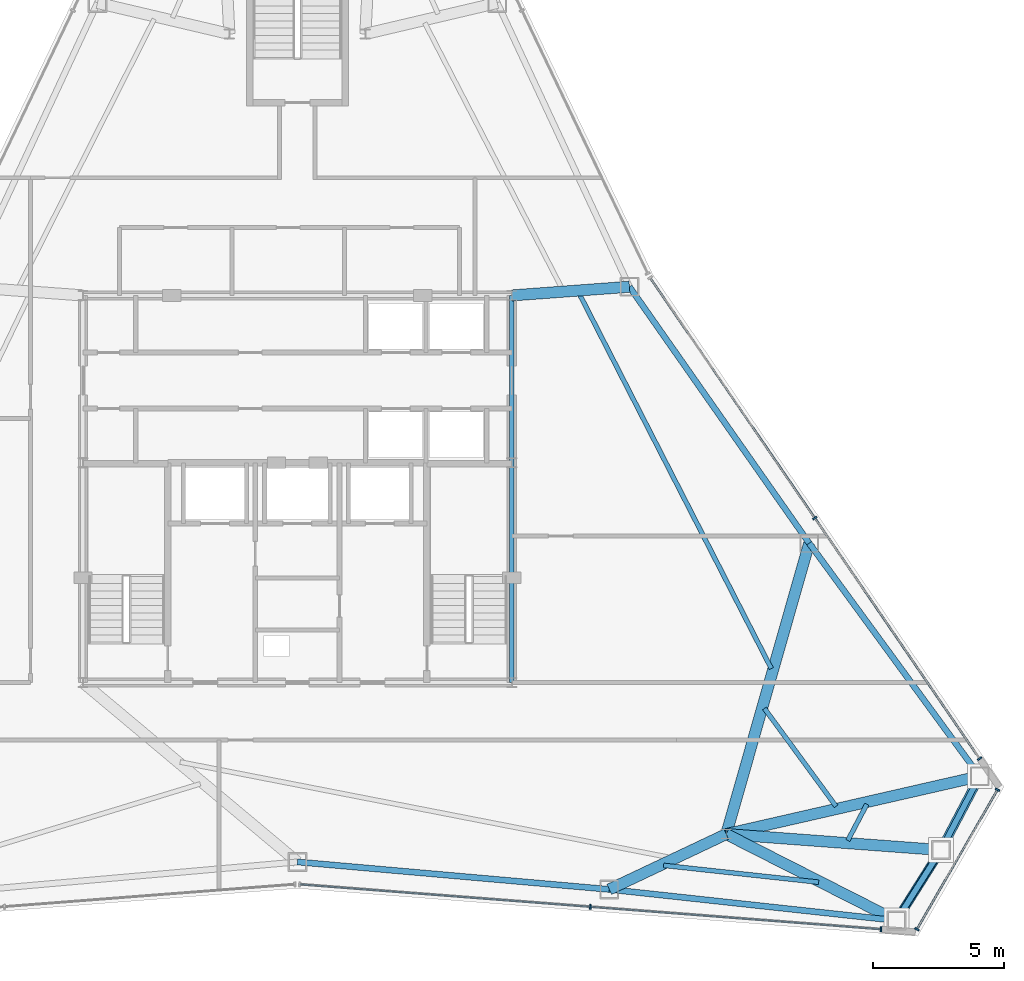
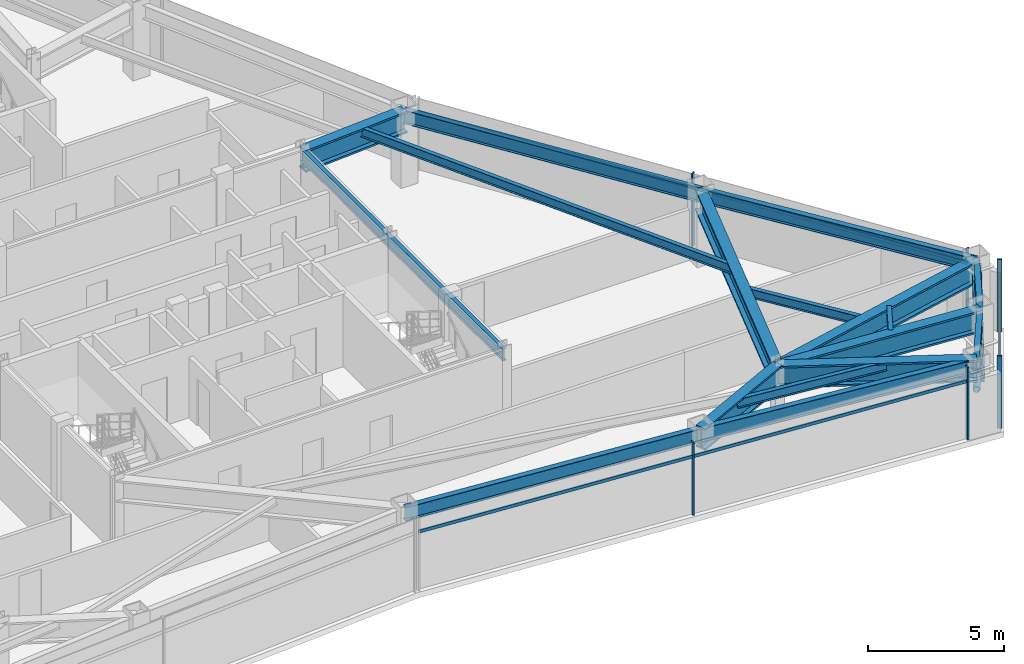
# One storey, part 6 of 12: 17 beams, 12 members, 3 elements without a shape of their own.
"""IFC4 building model written with IfcOpenShell, lengths in metres."""

from ifc_helpers import new_model, si_unit, direction, frame, origin, origin_2d, place, context, subcontext, project, spatial, rectangle, hollow_rectangle, hollow_circle, i_section, extrude, source, transform, mapped, material, layer, layer_set, material_profile, profile_set, type_object, type_shapes, element, aggregate, save


model = new_model("IFC4")

# Units and contexts
model_context = context("Model", 3, precision=1e-05, world=origin(), true_north=direction((0.0, 1.0)))
body_context = subcontext(model_context, "Body", "Model", "MODEL_VIEW")
ifc_project = project(units=[si_unit("LENGTHUNIT", "METRE"), si_unit("AREAUNIT", "SQUARE_METRE"), si_unit("VOLUMEUNIT", "CUBIC_METRE"), si_unit("PLANEANGLEUNIT", "RADIAN"), si_unit("MASSUNIT", "GRAM", prefix="KILO")], contexts=[model_context])

# Site, building, storey
site_placement = place(None, origin())
site = spatial("IfcSite", under=ifc_project, at=site_placement, CompositionType="ELEMENT")
building_placement = place(site_placement, origin())
building = spatial("IfcBuilding", under=site, at=building_placement, Name="Varakhsha Concourse Tower", CompositionType="ELEMENT")
storey_placement = place(building_placement, frame((0.0, 0.0, 222.39990234375)))
storey = spatial("IfcBuildingStorey", under=building, at=storey_placement, Name="L63", CompositionType="ELEMENT", Elevation=222.39990234375)

# Beams
ifc_material_1 = material(Name="Structural Steel ASTM A992 Grade 50", Category="steel")
ifc_material_profile_1 = material_profile(ifc_material_1, i_section(OverallWidth=0.177978515625, OverallDepth=0.406982421875, WebThickness=0.008056640625, FlangeThickness=0.012939453125, at=origin_2d()), Name="W16X40")
ifc_profile_set_1 = profile_set([ifc_material_profile_1], Name="Structural Steel ASTM A992 Grade 50")
beam_type_1 = type_object("IfcBeamType", Name="BM-JST-W16X40", PredefinedType="JOIST", material=ifc_profile_set_1)
beam_1_placement = place(storey_placement, frame((54.005615234375, 9.404541015625, 3.046630859375), z_axis=(0.994153254107, -0.107978272576, 0.0), x_axis=(0.107978272576, 0.994153254107, 0.0)))
element("IfcBeam", 1, at=beam_1_placement, inside=storey, type_object=beam_type_1, Name="BM-TJST-L63-12", PredefinedType="JOIST", context=body_context, shape_type="SweptSolid", body=[
    extrude(i_section(OverallWidth=0.177978515625, OverallDepth=0.406982421875, WebThickness=0.008056640625, FlangeThickness=0.012939453125, at=origin_2d()), origin(), (0.0, 0.0, 1.0), 5.964599609375),
])
beam_2_placement = place(storey_placement, frame((61.049072265625, 10.3564453125, 3.046630859375), z_axis=(0.465392975907, 0.885104162219, 0.0), x_axis=(-0.885104162219, 0.465392975907, 0.0)))
element("IfcBeam", 2, at=beam_2_placement, inside=storey, type_object=beam_type_1, Name="BM-TJST-L63-14", PredefinedType="JOIST", context=body_context, shape_type="SweptSolid", body=[
    extrude(i_section(OverallWidth=0.177978515625, OverallDepth=0.406982421875, WebThickness=0.008056640625, FlangeThickness=0.012939453125, at=origin_2d()), origin(), (0.0, 0.0, 1.0), 1.56591796875),
])
beam_3_placement = place(storey_placement, frame((60.600830078125, 11.662841796875, 3.046630859375), z_axis=(-0.590553463379, 0.80699851728, 0.0), x_axis=(-0.80699851728, -0.590553463379, 0.0)))
element("IfcBeam", 3, at=beam_3_placement, inside=storey, type_object=beam_type_1, Name="BM-TJST-L63-15", PredefinedType="JOIST", context=body_context, shape_type="SweptSolid", body=[
    extrude(i_section(OverallWidth=0.177978515625, OverallDepth=0.406982421875, WebThickness=0.008056640625, FlangeThickness=0.012939453125, at=origin_2d()), origin(), (0.0, 0.0, 1.0), 4.639404296875),
])
beam_4_placement = place(storey_placement, frame((58.126708984375, 16.928466796875, 3.046630859375), z_axis=(-0.455992519423, 0.889983607844, 0.0), x_axis=(-0.889983607844, -0.455992519423, 0.0)))
element("IfcBeam", 4, at=beam_4_placement, inside=storey, type_object=beam_type_1, Name="BM-TJST-L63-16", PredefinedType="JOIST", context=body_context, shape_type="SweptSolid", body=[
    extrude(i_section(OverallWidth=0.177978515625, OverallDepth=0.406982421875, WebThickness=0.008056640625, FlangeThickness=0.012939453125, at=origin_2d()), origin(), (0.0, 0.0, 1.0), 16.134521484375),
])
ifc_material_profile_2 = material_profile(ifc_material_1, i_section(OverallWidth=0.1669921875, OverallDepth=0.534912109375, WebThickness=0.010009765625, FlangeThickness=0.01708984375, at=origin_2d()), Name="W21X57")
ifc_profile_set_2 = profile_set([ifc_material_profile_2], Name="Structural Steel ASTM A992 Grade 50")
beam_type_2 = type_object("IfcBeamType", Name="BM-RAD-W21X57", PredefinedType="BEAM", material=ifc_profile_set_2)
beam_5_placement = place(storey_placement, frame((48.199951171875, 16.39990234375, 2.982666015625), z_axis=(0.0, 1.0, 0.0), x_axis=(-1.0, 0.0, 0.0)))
element("IfcBeam", 5, at=beam_5_placement, inside=storey, type_object=beam_type_2, Name="BM-TCORE-L63-CE", PredefinedType="BEAM", context=body_context, shape_type="SweptSolid", body=[
    extrude(i_section(OverallWidth=0.1669921875, OverallDepth=0.534912109375, WebThickness=0.010009765625, FlangeThickness=0.01708984375, at=origin_2d()), origin(), (0.0, 0.0, 1.0), 14.800048828125),
])
ifc_material_profile_3 = material_profile(ifc_material_1, i_section(OverallWidth=0.22900390625, OverallDepth=0.612060546875, WebThickness=0.011962890625, FlangeThickness=0.02001953125, at=origin_2d()), Name="W24X84")
ifc_profile_set_3 = profile_set([ifc_material_profile_3], Name="Structural Steel ASTM A992 Grade 50")
beam_type_3 = type_object("IfcBeamType", Name="BM-SPAN-W24X84", PredefinedType="SPANDREL", material=ifc_profile_set_3)
beam_6_placement = place(storey_placement, frame((40.0, 9.53662109375, 2.944091796875), z_axis=(0.996146369773, -0.087706385108, 0.0), x_axis=(0.087706385108, 0.996146369773, 0.0)))
element("IfcBeam", 6, at=beam_6_placement, inside=storey, type_object=beam_type_3, Name="BM-SPAN-L63-11", PredefinedType="SPANDREL", context=body_context, shape_type="SweptSolid", body=[
    extrude(i_section(OverallWidth=0.22900390625, OverallDepth=0.612060546875, WebThickness=0.011962890625, FlangeThickness=0.02001953125, at=origin_2d()), origin(), (0.0, 0.0, 1.0), 11.97509765625),
])
beam_7_placement = place(storey_placement, frame((51.928955078125, 8.486328125, 2.944091796875), z_axis=(0.99415669226, -0.107946612891, 0.0), x_axis=(0.107946612891, 0.99415669226, 0.0)))
element("IfcBeam", 7, at=beam_7_placement, inside=storey, type_object=beam_type_3, Name="BM-SPAN-L63-12", PredefinedType="SPANDREL", context=body_context, shape_type="SweptSolid", body=[
    extrude(i_section(OverallWidth=0.22900390625, OverallDepth=0.612060546875, WebThickness=0.011962890625, FlangeThickness=0.02001953125, at=origin_2d()), origin(), (0.0, 0.0, 1.0), 11.043701171875),
])
for number, where, z_axis, x_axis, name in (
    (8, (62.908203125, 7.294189453125, 2.944091796875), (0.533716468217, 0.845663486, 0.0), (-0.845663486, 0.533716468217, 0.0), "BM-SPAN-L63-13"),
    (9, (64.6103515625, 9.9912109375, 2.944091796875), (0.465522403163, 0.885036096525, 0.0), (-0.885036096525, 0.465522403163, 0.0), "BM-SPAN-L63-14"),
):
    element("IfcBeam", number, at=place(storey_placement, frame(where, z_axis=z_axis, x_axis=x_axis)), inside=storey, type_object=beam_type_3, Name=name, PredefinedType="SPANDREL", context=body_context, shape_type="SweptSolid", body=[
        extrude(i_section(OverallWidth=0.22900390625, OverallDepth=0.612060546875, WebThickness=0.011962890625, FlangeThickness=0.02001953125, at=origin_2d()), origin(), (0.0, 0.0, 1.0), 3.189208984375),
    ])
beam_8_placement = place(storey_placement, frame((66.094970703125, 12.813720703125, 2.944091796875), z_axis=(-0.590553538484, 0.806998462318, 0.0), x_axis=(-0.806998462318, -0.590553538484, 0.0)))
element("IfcBeam", 10, at=beam_8_placement, inside=storey, type_object=beam_type_3, Name="BM-SPAN-L63-15", PredefinedType="SPANDREL", context=body_context, shape_type="SweptSolid", body=[
    extrude(i_section(OverallWidth=0.22900390625, OverallDepth=0.612060546875, WebThickness=0.011962890625, FlangeThickness=0.02001953125, at=origin_2d()), origin(), (0.0, 0.0, 1.0), 11.0439453125),
])
beam_9_placement = place(storey_placement, frame((59.572998046875, 21.72607421875, 2.944091796875), z_axis=(-0.574025939062, 0.818837115233, 0.0), x_axis=(-0.818837115233, -0.574025939062, 0.0)))
element("IfcBeam", 11, at=beam_9_placement, inside=storey, type_object=beam_type_3, Name="BM-SPAN-L63-16", PredefinedType="SPANDREL", context=body_context, shape_type="SweptSolid", body=[
    extrude(i_section(OverallWidth=0.22900390625, OverallDepth=0.612060546875, WebThickness=0.011962890625, FlangeThickness=0.02001953125, at=origin_2d()), origin(), (0.0, 0.0, 1.0), 11.97509765625),
])
ifc_material_profile_4 = material_profile(ifc_material_1, i_section(OverallWidth=0.427978515625, OverallDepth=0.97509765625, WebThickness=0.050048828125, FlangeThickness=0.0810546875, at=origin_2d()), Name="W36X395")
ifc_profile_set_4 = profile_set([ifc_material_profile_4], Name="Structural Steel ASTM A992 Grade 50")
beam_type_4 = type_object("IfcBeamType", Name="BM-XFER-W36X395", PredefinedType="USERDEFINED", material=ifc_profile_set_4)
beam_10_placement = place(storey_placement, frame((56.39990234375, 10.60009765625, 2.7626953125), z_axis=(-0.904054231678, -0.427417765406, 0.0), x_axis=(0.427417765406, -0.904054231678, 0.0)))
element("IfcBeam", 12, at=beam_10_placement, inside=storey, type_object=beam_type_4, Name="L63 Radial Floor Girder 12", ObjectType="GIRDER", PredefinedType="USERDEFINED", context=body_context, shape_type="SweptSolid", body=[
    extrude(i_section(OverallWidth=0.427978515625, OverallDepth=0.97509765625, WebThickness=0.050048828125, FlangeThickness=0.0810546875, at=origin_2d()), origin(), (0.0, 0.0, 1.0), 4.945556640625),
])
beam_11_placement = place(storey_placement, frame((56.39990234375, 10.60009765625, 2.7626953125), z_axis=(0.891573080646, -0.452876850665, 0.0), x_axis=(0.452876850665, 0.891573080646, 0.0)))
element("IfcBeam", 13, at=beam_11_placement, inside=storey, type_object=beam_type_4, Name="L63 Radial Floor Girder 13", ObjectType="GIRDER", PredefinedType="USERDEFINED", context=body_context, shape_type="SweptSolid", body=[
    extrude(i_section(OverallWidth=0.427978515625, OverallDepth=0.97509765625, WebThickness=0.050048828125, FlangeThickness=0.0810546875, at=origin_2d()), origin(), (0.0, 0.0, 1.0), 7.2998046875),
])
beam_12_placement = place(storey_placement, frame((56.39990234375, 10.60009765625, 2.7626953125), z_axis=(0.99726143975, -0.073956884649, 0.0), x_axis=(0.073956884649, 0.99726143975, 0.0)))
element("IfcBeam", 14, at=beam_12_placement, inside=storey, type_object=beam_type_4, Name="L63 Radial Floor Girder 14", ObjectType="GIRDER", PredefinedType="USERDEFINED", context=body_context, shape_type="SweptSolid", body=[
    extrude(i_section(OverallWidth=0.427978515625, OverallDepth=0.97509765625, WebThickness=0.050048828125, FlangeThickness=0.0810546875, at=origin_2d()), origin(), (0.0, 0.0, 1.0), 8.23291015625),
])
beam_13_placement = place(storey_placement, frame((56.39990234375, 10.60009765625, 2.7626953125), z_axis=(0.974910741662, 0.222596149547, 0.0), x_axis=(-0.222596149547, 0.974910741662, 0.0)))
element("IfcBeam", 15, at=beam_13_placement, inside=storey, type_object=beam_type_4, Name="L63 Radial Floor Girder 15", ObjectType="GIRDER", PredefinedType="USERDEFINED", context=body_context, shape_type="SweptSolid", body=[
    extrude(i_section(OverallWidth=0.427978515625, OverallDepth=0.97509765625, WebThickness=0.050048828125, FlangeThickness=0.0810546875, at=origin_2d()), origin(), (0.0, 0.0, 1.0), 9.944580078125),
])
beam_14_placement = place(storey_placement, frame((56.39990234375, 10.60009765625, 2.7626953125), z_axis=(0.274261234585, 0.961655226785, 0.0), x_axis=(-0.961655226785, 0.274261234585, 0.0)))
element("IfcBeam", 16, at=beam_14_placement, inside=storey, type_object=beam_type_4, Name="L63 Radial Floor Girder 16", ObjectType="GIRDER", PredefinedType="USERDEFINED", context=body_context, shape_type="SweptSolid", body=[
    extrude(i_section(OverallWidth=0.427978515625, OverallDepth=0.97509765625, WebThickness=0.050048828125, FlangeThickness=0.0810546875, at=origin_2d()), origin(), (0.0, 0.0, 1.0), 11.569580078125),
])
beam_15_placement = place(storey_placement, frame((48.199951171875, 31.199951171875, 2.7626953125), z_axis=(0.9972917705, 0.073546750386, 0.0), x_axis=(-0.073546750386, 0.9972917705, 0.0)))
element("IfcBeam", 17, at=beam_15_placement, inside=storey, type_object=beam_type_4, Name="L63 Radial Floor Girder 17", ObjectType="GIRDER", PredefinedType="USERDEFINED", context=body_context, shape_type="SweptSolid", body=[
    extrude(i_section(OverallWidth=0.427978515625, OverallDepth=0.97509765625, WebThickness=0.050048828125, FlangeThickness=0.0810546875, at=origin_2d()), origin(), (0.0, 0.0, 1.0), 4.51123046875),
])

# Members
ifc_material_2 = material(Name="Structural Steel ASTM A500 Grade C", Category="steel")
ifc_material_profile_5 = material_profile(ifc_material_2, hollow_rectangle(XDim=0.35009765625, YDim=0.35009765625, WallThickness=0.01611328125, at=origin_2d()), Name="HSS 350x350x16")
ifc_profile_set_5 = profile_set([ifc_material_profile_5], Name="Structural Steel ASTM A500 Grade C")
member_type_1 = type_object("IfcMemberType", Name="MB-TUBE-HSS350", PredefinedType="BRACE", material=ifc_profile_set_5)
shared_shape_1 = source(origin(), body_context, "Body", "SweptSolid", [
    extrude(hollow_rectangle(XDim=0.35009765625, YDim=0.35009765625, WallThickness=0.01611328125, at=origin_2d()), origin(), (0.0, 0.0, 1.0), 4.263916015625),
])
type_shapes(member_type_1, [shared_shape_1])
for number, where, z_axis, x_axis, name in (
    (18, (64.6103515625, 9.9912109375, 0.1201171875), (-0.399202825625, -0.632529204631, 0.66373481851), (0.845663486, -0.533716468217, 0.0), "L63 Wind-Corner Tube Brace B05"),
    (19, (64.6103515625, 9.9912109375, 0.1201171875), (0.348191484068, 0.661970358052, 0.663745384529), (-0.885036096525, 0.465522403163, 0.0), "L63 Wind-Corner Tube Brace B06"),
):
    element("IfcMember", number, at=place(storey_placement, frame(where, z_axis=z_axis, x_axis=x_axis)), inside=storey, type_object=member_type_1, Name=name, PredefinedType="BRACE", context=body_context, shape_type="MappedRepresentation", body=[
        mapped(shared_shape_1, transform((0.0, 0.0, 0.0), scale=1.0)),
    ])
ifc_material_profile_6 = material_profile(ifc_material_2, hollow_circle(Radius=0.136474609375, WallThickness=0.011962890625, at=origin_2d()), Name="CHS 273x12")
ifc_profile_set_6 = profile_set([ifc_material_profile_6], Name="Structural Steel ASTM A500 Grade C")
member_type_2 = type_object("IfcMemberType", Name="MB-WIND-CHS273", PredefinedType="COLLAR", material=ifc_profile_set_6)
shared_shape_2 = source(origin(), body_context, "Body", "SweptSolid", [
    extrude(hollow_circle(Radius=0.136474609375, WallThickness=0.011962890625, at=origin_2d()), origin(), (0.0, 0.0, 1.0), 3.189208984375),
])
type_shapes(member_type_2, [shared_shape_2])
member_1_placement = place(storey_placement, frame((62.908203125, 7.294189453125, 1.800048828125), z_axis=(0.533716468217, 0.845663486, 0.0), x_axis=(-0.845663486, 0.533716468217, 0.0)))
element("IfcMember", 20, at=member_1_placement, inside=storey, type_object=member_type_2, Name="L63 Wind-Corner Collar Tie 3", PredefinedType="COLLAR", context=body_context, shape_type="MappedRepresentation", body=[
    mapped(shared_shape_2, transform((0.0, 0.0, 0.0), scale=1.0)),
])

# Curtain wall, members
ifc_material_3 = material(Name="Anodised Bronze Architectural Aluminium AA 6063-T6", Category="aluminium")
ifc_layer = layer(ifc_material_3, 0.199951171875, Name="CW-SYS-05")
ifc_layer_set = layer_set([ifc_layer], Name="Anodised Bronze Architectural Aluminium AA 6063-T6")
curtain_wall_type = type_object("IfcCurtainWallType", Name="CW-SYS-05", PredefinedType="NOTDEFINED", material=ifc_layer_set)
curtain_wall_1_placement = place(storey_placement, origin())
curtain_wall_1 = element("IfcCurtainWall", 21, at=curtain_wall_1_placement, inside=storey, type_object=curtain_wall_type, Name="L63 Crystal Curtain Wall F6", PredefinedType="NOTDEFINED")
ifc_material_profile_7 = material_profile(ifc_material_3, rectangle(XDim=0.06494140625, YDim=0.179931640625, at=origin_2d()), Name="CWM-180X65")
ifc_profile_set_7 = profile_set([ifc_material_profile_7], Name="Anodised Bronze Architectural Aluminium AA 6063-T6")
member_type_3 = type_object("IfcMemberType", Name="CWM-180X65", PredefinedType="MULLION", material=ifc_profile_set_7)
shared_shape_3 = source(origin(), body_context, "Body", "SweptSolid", [
    extrude(rectangle(XDim=0.06494140625, YDim=0.179931640625, at=origin_2d()), origin(), (0.0, 0.0, 1.0), 3.25),
])
type_shapes(member_type_3, [shared_shape_3])
member_2_placement = place(storey_placement, frame((62.319091796875, 6.962158203125, 0.0), z_axis=(0.0, 0.0, 1.0), x_axis=(-0.997034110791, 0.076960911628, 0.0)))
member_2 = element("IfcMember", 22, at=member_2_placement, type_object=member_type_3, Name="CW-L63-F6 Mullion 00", PredefinedType="MULLION", context=body_context, shape_type="MappedRepresentation", body=[
    mapped(shared_shape_3, transform((0.0, 0.0, 0.0), scale=1.0)),
])
member_3_placement = place(storey_placement, frame((51.20556640625, 7.820068359375, 0.0), z_axis=(0.0, 0.0, 1.0), x_axis=(-0.997034110791, 0.076960911628, 0.0)))
member_3 = element("IfcMember", 23, at=member_3_placement, type_object=member_type_3, Name="CW-L63-F6 Mullion 01", PredefinedType="MULLION", context=body_context, shape_type="MappedRepresentation", body=[
    mapped(shared_shape_3, transform((0.0, 0.0, 0.0), scale=1.0)),
])

curtain_wall_2_placement = place(storey_placement, origin())
curtain_wall_2 = element("IfcCurtainWall", 24, at=curtain_wall_2_placement, inside=storey, type_object=curtain_wall_type, Name="L63 Chamfer Curtain Wall F7", PredefinedType="NOTDEFINED")
member_4_placement = place(storey_placement, frame((66.773681640625, 12.298583984375, 0.0), z_axis=(0.0, 0.0, 1.0), x_axis=(-0.49999395399, -0.866028894422, 0.0)))
member_4 = element("IfcMember", 25, at=member_4_placement, type_object=member_type_3, Name="CW-L63-F7 Mullion 00", PredefinedType="MULLION", context=body_context, shape_type="MappedRepresentation", body=[
    mapped(shared_shape_3, transform((0.0, 0.0, 0.0), scale=1.0)),
])
member_5_placement = place(storey_placement, frame((63.69384765625, 6.9638671875, 0.0), z_axis=(0.0, 0.0, 1.0), x_axis=(-0.49999395399, -0.866028894422, 0.0)))
member_5 = element("IfcMember", 26, at=member_5_placement, type_object=member_type_3, Name="CW-L63-F7 Mullion 01", PredefinedType="MULLION", context=body_context, shape_type="MappedRepresentation", body=[
    mapped(shared_shape_3, transform((0.0, 0.0, 0.0), scale=1.0)),
])

curtain_wall_3_placement = place(storey_placement, origin())
curtain_wall_3 = element("IfcCurtainWall", 27, at=curtain_wall_3_placement, inside=storey, type_object=curtain_wall_type, Name="L63 Crystal Curtain Wall F8", PredefinedType="NOTDEFINED")
member_6_placement = place(storey_placement, frame((59.7880859375, 22.685791015625, 0.0), z_axis=(0.0, 0.0, 1.0), x_axis=(0.565172919372, -0.82497246694, 0.0)))
member_6 = element("IfcMember", 28, at=member_6_placement, type_object=member_type_3, Name="CW-L63-F8 Mullion 01", PredefinedType="MULLION", context=body_context, shape_type="MappedRepresentation", body=[
    mapped(shared_shape_3, transform((0.0, 0.0, 0.0), scale=1.0)),
])
member_7_placement = place(storey_placement, frame((66.087890625, 13.490234375, 0.0), z_axis=(0.0, 0.0, 1.0), x_axis=(0.565172919372, -0.82497246694, 0.0)))
member_7 = element("IfcMember", 29, at=member_7_placement, type_object=member_type_3, Name="CW-L63-F8 Mullion 02", PredefinedType="MULLION", context=body_context, shape_type="MappedRepresentation", body=[
    mapped(shared_shape_3, transform((0.0, 0.0, 0.0), scale=1.0)),
])
ifc_material_profile_8 = material_profile(ifc_material_3, rectangle(XDim=0.06005859375, YDim=0.139892578125, at=origin_2d()), Name="CWT-140X60")
ifc_profile_set_8 = profile_set([ifc_material_profile_8], Name="Anodised Bronze Architectural Aluminium AA 6063-T6")
member_type_4 = type_object("IfcMemberType", Name="CWT-140X60", PredefinedType="USERDEFINED", material=ifc_profile_set_8)
shared_shape_4 = source(origin(), body_context, "Body", "SweptSolid", [
    extrude(rectangle(XDim=0.06005859375, YDim=0.139892578125, at=origin_2d()), origin(), (0.0, 0.0, 1.0), 22.29296875),
])
member_8_placement = place(storey_placement, frame((53.488525390625, 31.88134765625, 2.60009765625), z_axis=(0.565171817913, -0.824973221527, 0.0), x_axis=(0.824973221527, 0.565171817913, 0.0)))
member_8 = element("IfcMember", 30, at=member_8_placement, type_object=member_type_4, Name="CW-L63-F8 Transom 01", ObjectType="TRANSOM", PredefinedType="USERDEFINED", context=body_context, shape_type="MappedRepresentation", body=[
    mapped(shared_shape_4, transform((0.0, 0.0, 0.0), scale=1.0)),
])
aggregate(curtain_wall_3, [member_6, member_7, member_8])

# Member
shared_shape_5 = source(origin(), body_context, "Body", "SweptSolid", [
    extrude(rectangle(XDim=0.06005859375, YDim=0.139892578125, at=origin_2d()), origin(), (0.0, 0.0, 1.0), 22.293212890625),
])
member_9_placement = place(storey_placement, frame((62.319091796875, 6.962158203125, 2.60009765625), z_axis=(-0.997033705872, 0.076966157212, 0.0), x_axis=(-0.076966157212, -0.997033705872, 0.0)))
member_9 = element("IfcMember", 31, at=member_9_placement, type_object=member_type_4, Name="CW-L63-F6 Transom 01", ObjectType="TRANSOM", PredefinedType="USERDEFINED", context=body_context, shape_type="MappedRepresentation", body=[
    mapped(shared_shape_5, transform((0.0, 0.0, 0.0), scale=1.0)),
])

aggregate(curtain_wall_1, [member_2, member_3, member_9])

shared_shape_6 = source(origin(), body_context, "Body", "SweptSolid", [
    extrude(rectangle(XDim=0.06005859375, YDim=0.139892578125, at=origin_2d()), origin(), (0.0, 0.0, 1.0), 6.159912109375),
])
type_shapes(member_type_4, [shared_shape_4, shared_shape_5, shared_shape_6])
member_10_placement = place(storey_placement, frame((66.773681640625, 12.298583984375, 2.60009765625), z_axis=(-0.49997976489, -0.866037086216, 0.0), x_axis=(0.866037086216, -0.49997976489, 0.0)))
member_10 = element("IfcMember", 32, at=member_10_placement, type_object=member_type_4, Name="CW-L63-F7 Transom 01", ObjectType="TRANSOM", PredefinedType="USERDEFINED", context=body_context, shape_type="MappedRepresentation", body=[
    mapped(shared_shape_6, transform((0.0, 0.0, 0.0), scale=1.0)),
])

aggregate(curtain_wall_2, [member_4, member_5, member_10])

save(model, "model.ifc")
